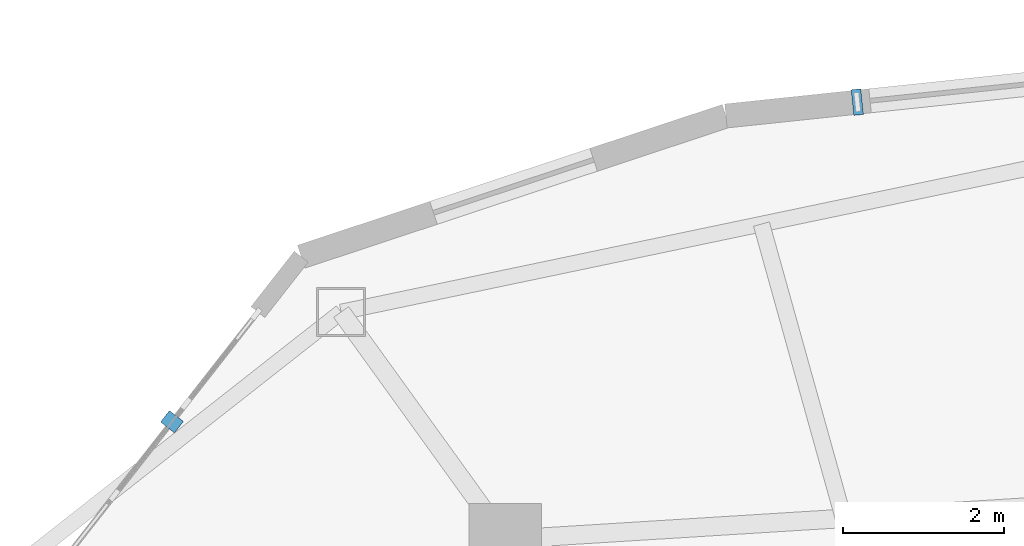
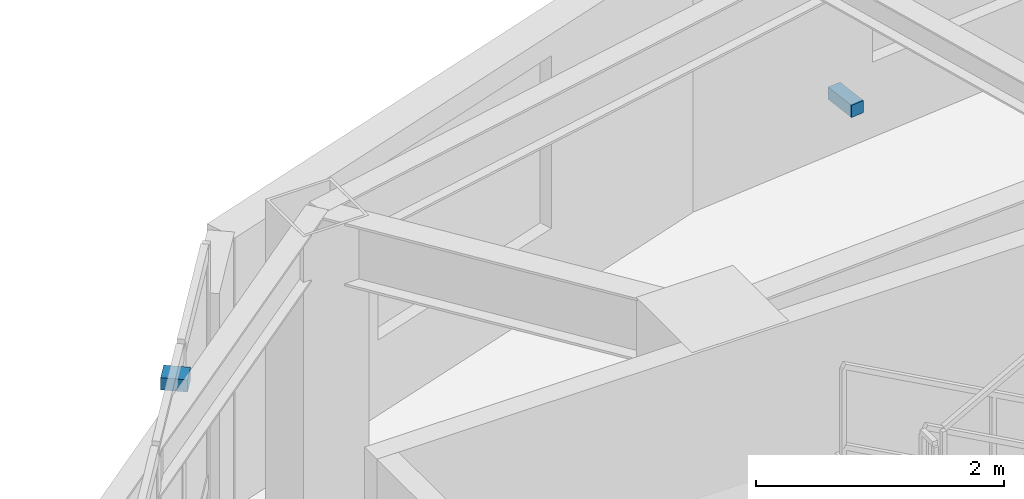
# One storey, part 16 of 19: 2 discrete accessories.
"""IFC4 building model written with IfcOpenShell, lengths in metres."""

from ifc_helpers import new_model, si_unit, direction, frame, origin, origin_2d, place, context, subcontext, project, spatial, rectangle, extrude, material, type_object, element, save


model = new_model("IFC4")

# Units and contexts
model_context = context("Model", 3, precision=1e-05, world=origin(), true_north=direction((0.0, 1.0)))
body_context = subcontext(model_context, "Body", "Model", "MODEL_VIEW")
ifc_project = project(units=[si_unit("LENGTHUNIT", "METRE"), si_unit("AREAUNIT", "SQUARE_METRE"), si_unit("VOLUMEUNIT", "CUBIC_METRE"), si_unit("PLANEANGLEUNIT", "RADIAN"), si_unit("MASSUNIT", "GRAM", prefix="KILO")], contexts=[model_context])

# Site, building, storey
site_placement = place(None, origin())
site = spatial("IfcSite", under=ifc_project, at=site_placement, CompositionType="ELEMENT")
building_placement = place(site_placement, origin())
building = spatial("IfcBuilding", under=site, at=building_placement, Name="Kolvaren Gate Tower and Convention Centre", CompositionType="ELEMENT")
storey_placement = place(building_placement, frame((0.0, 0.0, 163.10009765625)))
storey = spatial("IfcBuildingStorey", under=building, at=storey_placement, Name="L42", CompositionType="ELEMENT", Elevation=163.10009765625)

# Discrete accessories
ifc_material = material(Name="Anodized Architectural Aluminium Alloy 6063-T6", Category="aluminium")
discrete_accessory_type = type_object("IfcDiscreteAccessoryType", Name="ARCH-ACC-BRACKET-120", PredefinedType="BRACKET", material=ifc_material)
discrete_accessory_1_placement = place(storey_placement, frame((26.083251953125, 44.124267578125, 0.289794921875), z_axis=(0.0, 0.0, 1.0), x_axis=(0.994499249941, 0.104743696069, 0.0)))
element("IfcDiscreteAccessory", 1, at=discrete_accessory_1_placement, inside=storey, type_object=discrete_accessory_type, Name="Ceramic Fin Wall Anchor Bracket FBK-L42-06", PredefinedType="BRACKET", context=body_context, shape_type="SweptSolid", body=[
    extrude(rectangle(XDim=0.1201171875, YDim=0.320068359375, at=origin_2d()), origin(), (0.0, 0.0, 1.0), 0.1201171875),
])
discrete_accessory_2_placement = place(storey_placement, frame((17.54638671875, 40.142333984375, 2.949951171875), z_axis=(0.0, 0.0, 1.0), x_axis=(0.616446487588, 0.787396804629, 0.0)))
element("IfcDiscreteAccessory", 2, at=discrete_accessory_2_placement, inside=storey, type_object=discrete_accessory_type, Name="Solar Screen Spandrel Anchor Bracket BK-L42-08", PredefinedType="BRACKET", context=body_context, shape_type="SweptSolid", body=[
    extrude(rectangle(XDim=0.179931640625, YDim=0.219970703125, at=origin_2d()), origin(), (0.0, 0.0, 1.0), 0.1201171875),
])

save(model, "model.ifc")
